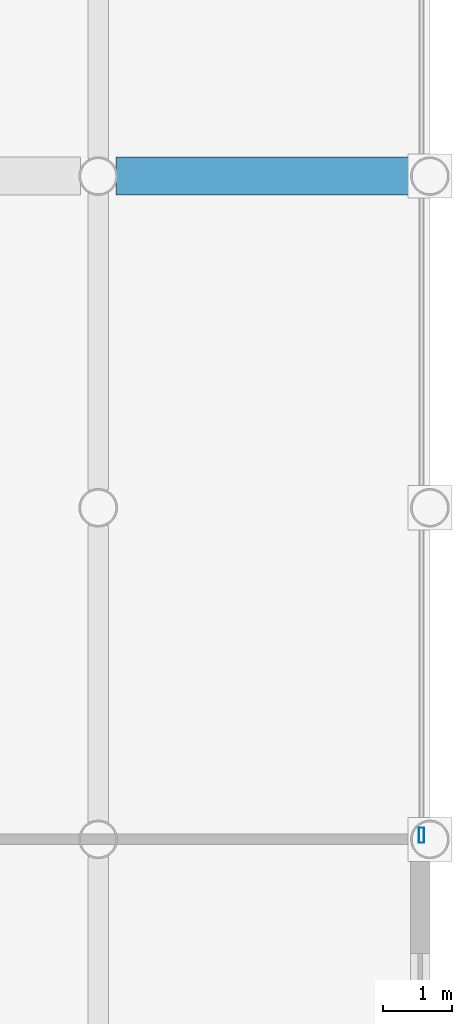
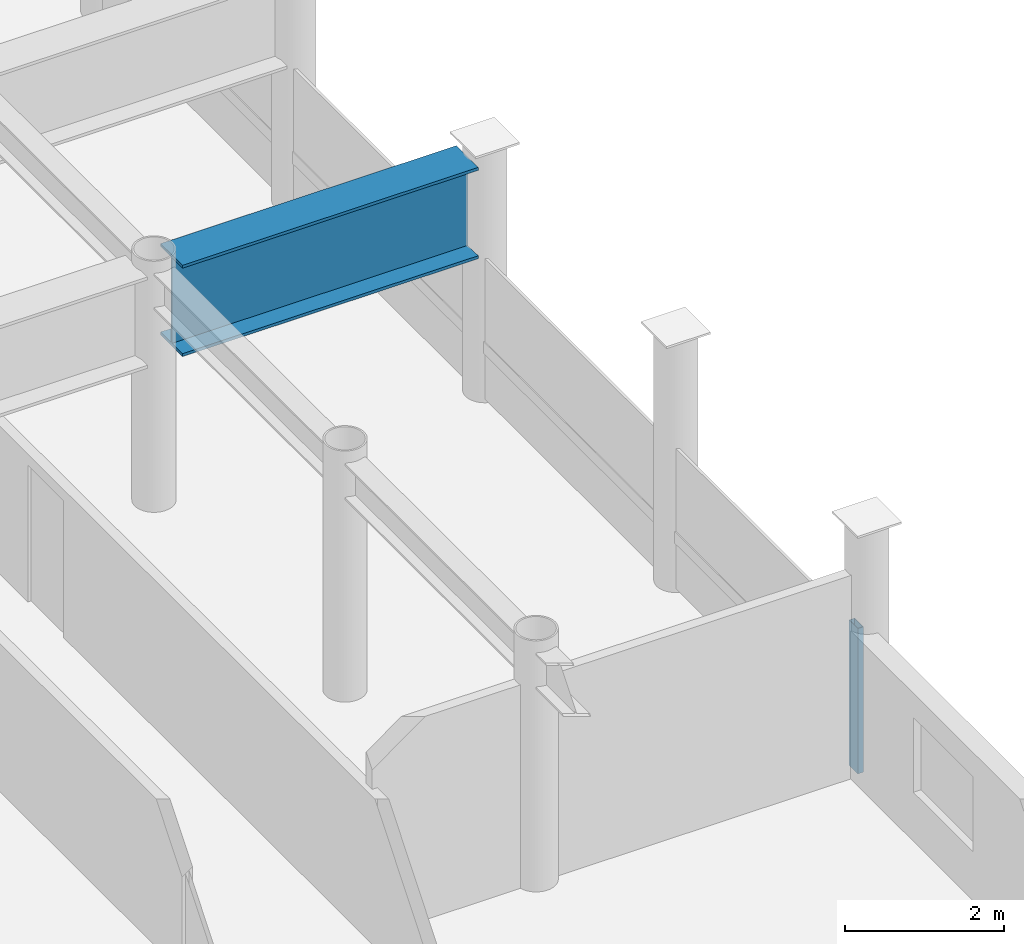
# One storey, part 17 of 27: 1 beam, 1 member, 1 element without a shape of its own.
"""IFC4 building model written with IfcOpenShell, lengths in metres."""

from ifc_helpers import new_model, si_unit, direction, frame, origin, origin_2d, place, context, subcontext, project, spatial, hollow_rectangle, i_section, extrude, material, layer, layer_set, material_profile, profile_set, type_object, element, aggregate, save


model = new_model("IFC4")

# Units and contexts
model_context = context("Model", 3, precision=1e-05, world=origin(), true_north=direction((0.0, 1.0)))
body_context = subcontext(model_context, "Body", "Model", "MODEL_VIEW")
ifc_project = project(units=[si_unit("LENGTHUNIT", "METRE"), si_unit("AREAUNIT", "SQUARE_METRE"), si_unit("VOLUMEUNIT", "CUBIC_METRE"), si_unit("PLANEANGLEUNIT", "RADIAN"), si_unit("MASSUNIT", "GRAM", prefix="KILO")], contexts=[model_context])

# Site, building, storey
site_placement = place(None, origin())
site = spatial("IfcSite", under=ifc_project, at=site_placement, CompositionType="ELEMENT")
building_placement = place(site_placement, origin())
building = spatial("IfcBuilding", under=site, at=building_placement, Name="Kallvorn Hotel Tower", CompositionType="ELEMENT")
storey_placement = place(building_placement, frame((0.0, 0.0, 245.39990234375)))
storey = spatial("IfcBuildingStorey", under=building, at=storey_placement, Name="L61", CompositionType="ELEMENT", Elevation=245.39990234375)

# Beam
ifc_material_1 = material(Name="Structural steel S355JR", Category="steel")
ifc_material_profile_1 = material_profile(ifc_material_1, i_section(OverallWidth=0.550048828125, OverallDepth=1.39990234375, WebThickness=0.02490234375, FlangeThickness=0.044921875, at=origin_2d()), Name="PG 1400x550x25x45")
ifc_profile_set_1 = profile_set([ifc_material_profile_1], Name="Structural steel S355JR")
beam_type = type_object("IfcBeamType", Name="BM_PG_1400", PredefinedType="BEAM", material=ifc_profile_set_1)
beam_placement = place(storey_placement, frame((29.054443359375, 9.60009765625, 2.97021484375), z_axis=(1.0, 0.0, 0.0), x_axis=(0.0, 1.0, 0.0)))
element("IfcBeam", 1, at=beam_placement, inside=storey, type_object=beam_type, Name="L62 Primary X-Girder 58", PredefinedType="BEAM", context=body_context, shape_type="SweptSolid", body=[
    extrude(i_section(OverallWidth=0.550048828125, OverallDepth=1.39990234375, WebThickness=0.02490234375, FlangeThickness=0.044921875, at=origin_2d()), origin(), (0.0, 0.0, 1.0), 4.291015625),
])

# Curtain wall, member
ifc_material_2 = material(Name="Thermally broken black-anodised aluminium AA 6063-T6", Category="aluminium")
ifc_layer = layer(ifc_material_2, 0.22998046875)
ifc_layer_set = layer_set([ifc_layer], Name="CW_SYS_5_HOTEL_HIGH")
curtain_wall_type = type_object("IfcCurtainWallType", Name="CW_SYS_5_HOTEL_HIGH", PredefinedType="USERDEFINED", material=ifc_layer_set)
curtain_wall_placement = place(storey_placement, origin())
curtain_wall = element("IfcCurtainWall", 2, at=curtain_wall_placement, inside=storey, type_object=curtain_wall_type, Name="L61 Dark-Glass Curtain Wall CW-L61-EN", ObjectType="UNITISED CURTAIN WALL", PredefinedType="USERDEFINED")
ifc_material_3 = material(Name="Thermally broken black-anodised aluminium AA 6063-T6", Category="aluminium")
ifc_material_profile_2 = material_profile(ifc_material_3, hollow_rectangle(XDim=0.080078125, YDim=0.219970703125, WallThickness=0.0048828125, at=origin_2d()), Name="MUL 220x80")
ifc_profile_set_2 = profile_set([ifc_material_profile_2], Name="Thermally broken black-anodised aluminium AA 6063-T6")
member_type = type_object("IfcMemberType", Name="CW_MULLION_220x80", PredefinedType="MULLION", material=ifc_profile_set_2)
member_placement = place(storey_placement, frame((33.47998046875, 0.06005859375, 0.02001953125), z_axis=(0.0, 0.0, 1.0), x_axis=(1.0, 0.0, 0.0)))
member = element("IfcMember", 3, at=member_placement, type_object=member_type, Name="CW-L61-EN Mullion 00", PredefinedType="MULLION", context=body_context, shape_type="SweptSolid", body=[
    extrude(hollow_rectangle(XDim=0.080078125, YDim=0.219970703125, WallThickness=0.0048828125, at=origin_2d()), origin(), (0.0, 0.0, 1.0), 2.22998046875),
])
aggregate(curtain_wall, [member])

save(model, "model.ifc")
